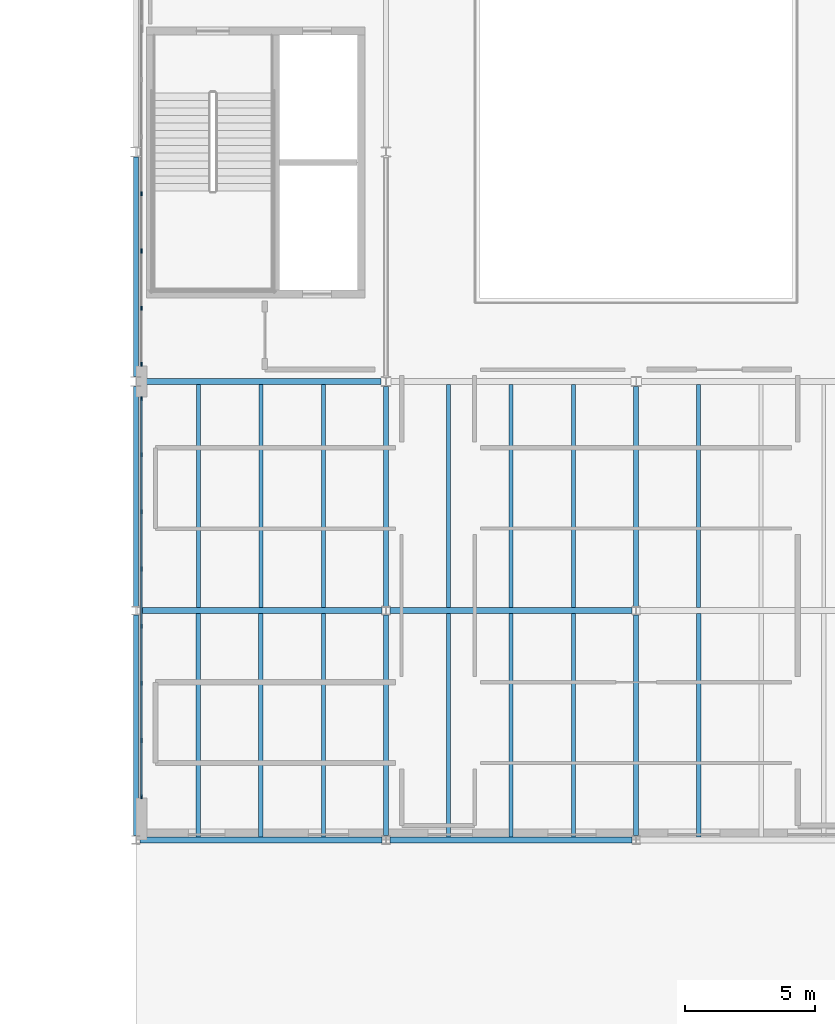
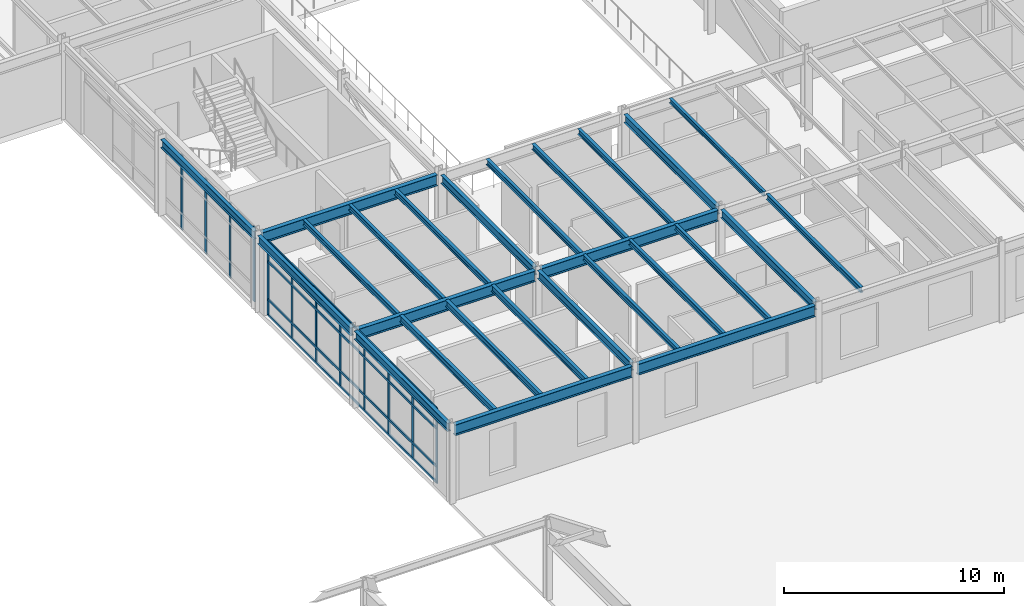
# One storey, part 25 of 88: 26 beams, 16 members, 2 elements without a shape of their own.
"""IFC4 building model written with IfcOpenShell, lengths in metres."""

from ifc_helpers import new_model, si_unit, direction, frame, origin, origin_2d, place, context, subcontext, project, spatial, rectangle, i_section, extrude, material, material_profile, profile_set, type_object, element, aggregate, save


model = new_model("IFC4")

# Units and contexts
model_context = context("Model", 3, precision=1e-05, world=origin(), true_north=direction((0.0, 1.0)))
body_context = subcontext(model_context, "Body", "Model", "MODEL_VIEW")
ifc_project = project(units=[si_unit("LENGTHUNIT", "METRE"), si_unit("AREAUNIT", "SQUARE_METRE"), si_unit("VOLUMEUNIT", "CUBIC_METRE"), si_unit("PLANEANGLEUNIT", "RADIAN"), si_unit("MASSUNIT", "GRAM", prefix="KILO")], contexts=[model_context])

# Site, building, storey
site_placement = place(None, origin())
site = spatial("IfcSite", under=ifc_project, at=site_placement, CompositionType="ELEMENT")
building_placement = place(site_placement, origin())
building = spatial("IfcBuilding", under=site, at=building_placement, Name="Sarnbrook Museum", CompositionType="ELEMENT")
storey_placement = place(building_placement, frame((0.0, 0.0, 10.10009765625)))
storey = spatial("IfcBuildingStorey", under=building, at=storey_placement, Name="L02", CompositionType="ELEMENT", Elevation=10.10009765625)

# Beams
ifc_material_1 = material(Name="Structural Steel Grade 300PLUS (AS/NZS 3679.1, fy = 280 MPa for 17 < t <= 40 mm, 300 MPa for t <= 17 mm)", Category="steel")
ifc_material_profile_1 = material_profile(ifc_material_1, i_section(OverallWidth=0.18994140625, OverallDepth=0.45703125, WebThickness=0.009033203125, FlangeThickness=0.014404296875, FilletRadius=0.011474609375, at=origin_2d()), Name="460UB74.6")
ifc_profile_set_1 = profile_set([ifc_material_profile_1], Name="Structural Steel Grade 300PLUS (AS/NZS 3679.1, fy = 280 MPa for 17 < t <= 40 mm, 300 MPa for t <= 17 mm)")
beam_type_1 = type_object("IfcBeamType", Name="BM-UB460", PredefinedType="BEAM", material=ifc_profile_set_1)
beam_1_placement = place(storey_placement, frame((80.800048828125, 39.363525390625, 4.0615234375), z_axis=(0.0, 1.0, 0.0), x_axis=(-1.0, 0.0, 0.0)))
element("IfcBeam", 1, at=beam_1_placement, inside=storey, type_object=beam_type_1, Name="Girder 9:E-F L02", PredefinedType="BEAM", context=body_context, shape_type="SweptSolid", body=[
    extrude(i_section(OverallWidth=0.18994140625, OverallDepth=0.45703125, WebThickness=0.009033203125, FlangeThickness=0.014404296875, FilletRadius=0.011474609375, at=origin_2d()), origin(), (0.0, 0.0, 1.0), 8.472900390625),
])
beam_2_placement = place(storey_placement, frame((80.800048828125, 48.16357421875, 4.021484375), z_axis=(0.0, 1.0, 0.0), x_axis=(-1.0, 0.0, 0.0)))
element("IfcBeam", 2, at=beam_2_placement, inside=storey, type_object=beam_type_1, Name="Girder 9:F-G L02", PredefinedType="BEAM", context=body_context, shape_type="SweptSolid", body=[
    extrude(i_section(OverallWidth=0.18994140625, OverallDepth=0.45703125, WebThickness=0.009033203125, FlangeThickness=0.014404296875, FilletRadius=0.011474609375, at=origin_2d()), origin(), (0.0, 0.0, 1.0), 8.4453125),
])
beam_3_placement = place(storey_placement, frame((80.800048828125, 56.990966796875, 4.021484375), z_axis=(0.0, 1.0, 0.0), x_axis=(-1.0, 0.0, 0.0)))
element("IfcBeam", 3, at=beam_3_placement, inside=storey, type_object=beam_type_1, Name="Girder 9:G-H L02", PredefinedType="BEAM", context=body_context, shape_type="SweptSolid", body=[
    extrude(i_section(OverallWidth=0.18994140625, OverallDepth=0.45703125, WebThickness=0.009033203125, FlangeThickness=0.014404296875, FilletRadius=0.011474609375, at=origin_2d()), origin(), (0.0, 0.0, 1.0), 8.41796875),
])
beam_4_placement = place(storey_placement, frame((90.39990234375, 39.363525390625, 4.0615234375), z_axis=(0.0, 1.0, 0.0), x_axis=(-1.0, 0.0, 0.0)))
element("IfcBeam", 4, at=beam_4_placement, inside=storey, type_object=beam_type_1, Name="Girder 10:E-F L02", PredefinedType="BEAM", context=body_context, shape_type="SweptSolid", body=[
    extrude(i_section(OverallWidth=0.18994140625, OverallDepth=0.45703125, WebThickness=0.009033203125, FlangeThickness=0.014404296875, FilletRadius=0.011474609375, at=origin_2d()), origin(), (0.0, 0.0, 1.0), 8.472900390625),
])
beam_5_placement = place(storey_placement, frame((90.39990234375, 48.16357421875, 4.021484375), z_axis=(0.0, 1.0, 0.0), x_axis=(-1.0, 0.0, 0.0)))
element("IfcBeam", 5, at=beam_5_placement, inside=storey, type_object=beam_type_1, Name="Girder 10:F-G L02", PredefinedType="BEAM", context=body_context, shape_type="SweptSolid", body=[
    extrude(i_section(OverallWidth=0.18994140625, OverallDepth=0.45703125, WebThickness=0.009033203125, FlangeThickness=0.014404296875, FilletRadius=0.011474609375, at=origin_2d()), origin(), (0.0, 0.0, 1.0), 8.4453125),
])
beam_6_placement = place(storey_placement, frame((100.0, 39.363525390625, 4.0615234375), z_axis=(0.0, 1.0, 0.0), x_axis=(-1.0, 0.0, 0.0)))
element("IfcBeam", 6, at=beam_6_placement, inside=storey, type_object=beam_type_1, Name="Girder 11:E-F L02", PredefinedType="BEAM", context=body_context, shape_type="SweptSolid", body=[
    extrude(i_section(OverallWidth=0.18994140625, OverallDepth=0.45703125, WebThickness=0.009033203125, FlangeThickness=0.014404296875, FilletRadius=0.011474609375, at=origin_2d()), origin(), (0.0, 0.0, 1.0), 8.472900390625),
])
beam_7_placement = place(storey_placement, frame((100.0, 48.16357421875, 4.021484375), z_axis=(0.0, 1.0, 0.0), x_axis=(-1.0, 0.0, 0.0)))
element("IfcBeam", 7, at=beam_7_placement, inside=storey, type_object=beam_type_1, Name="Girder 11:F-G L02", PredefinedType="BEAM", context=body_context, shape_type="SweptSolid", body=[
    extrude(i_section(OverallWidth=0.18994140625, OverallDepth=0.45703125, WebThickness=0.009033203125, FlangeThickness=0.014404296875, FilletRadius=0.011474609375, at=origin_2d()), origin(), (0.0, 0.0, 1.0), 8.4453125),
])
ifc_material_profile_2 = material_profile(ifc_material_1, i_section(OverallWidth=0.22802734375, OverallDepth=0.60693359375, WebThickness=0.01123046875, FlangeThickness=0.017333984375, FilletRadius=0.013916015625, at=origin_2d()), Name="610UB113")
ifc_profile_set_2 = profile_set([ifc_material_profile_2], Name="Structural Steel Grade 300PLUS (AS/NZS 3679.1, fy = 280 MPa for 17 < t <= 40 mm, 300 MPa for t <= 17 mm)")
beam_type_2 = type_object("IfcBeamType", Name="BM-UB610", PredefinedType="BEAM", material=ifc_profile_set_2)
beam_8_placement = place(storey_placement, frame((80.95556640625, 39.199951171875, 3.986328125), z_axis=(1.0, 0.0, 0.0), x_axis=(0.0, 1.0, 0.0)))
element("IfcBeam", 8, at=beam_8_placement, inside=storey, type_object=beam_type_2, Name="Girder E:9-10 L02", PredefinedType="BEAM", context=body_context, shape_type="SweptSolid", body=[
    extrude(i_section(OverallWidth=0.22802734375, OverallDepth=0.60693359375, WebThickness=0.01123046875, FlangeThickness=0.017333984375, FilletRadius=0.013916015625, at=origin_2d()), origin(), (0.0, 0.0, 1.0), 9.288818359375),
])
beam_9_placement = place(storey_placement, frame((90.555419921875, 39.199951171875, 3.986328125), z_axis=(1.0, 0.0, 0.0), x_axis=(0.0, 1.0, 0.0)))
element("IfcBeam", 9, at=beam_9_placement, inside=storey, type_object=beam_type_2, Name="Girder E:10-11 L02", PredefinedType="BEAM", context=body_context, shape_type="SweptSolid", body=[
    extrude(i_section(OverallWidth=0.22802734375, OverallDepth=0.60693359375, WebThickness=0.01123046875, FlangeThickness=0.017333984375, FilletRadius=0.013916015625, at=origin_2d()), origin(), (0.0, 0.0, 1.0), 9.2890625),
])
beam_10_placement = place(storey_placement, frame((80.95556640625, 48.0, 3.9462890625), z_axis=(1.0, 0.0, 0.0), x_axis=(0.0, 1.0, 0.0)))
element("IfcBeam", 10, at=beam_10_placement, inside=storey, type_object=beam_type_2, Name="Girder F:9-10 L02", PredefinedType="BEAM", context=body_context, shape_type="SweptSolid", body=[
    extrude(i_section(OverallWidth=0.22802734375, OverallDepth=0.60693359375, WebThickness=0.01123046875, FlangeThickness=0.017333984375, FilletRadius=0.013916015625, at=origin_2d()), origin(), (0.0, 0.0, 1.0), 9.288818359375),
])
beam_11_placement = place(storey_placement, frame((90.555419921875, 48.0, 3.9462890625), z_axis=(1.0, 0.0, 0.0), x_axis=(0.0, 1.0, 0.0)))
element("IfcBeam", 11, at=beam_11_placement, inside=storey, type_object=beam_type_2, Name="Girder F:10-11 L02", PredefinedType="BEAM", context=body_context, shape_type="SweptSolid", body=[
    extrude(i_section(OverallWidth=0.22802734375, OverallDepth=0.60693359375, WebThickness=0.01123046875, FlangeThickness=0.017333984375, FilletRadius=0.013916015625, at=origin_2d()), origin(), (0.0, 0.0, 1.0), 9.2890625),
])
beam_12_placement = place(storey_placement, frame((81.0, 56.800048828125, 3.9462890625), z_axis=(1.0, 0.0, 0.0), x_axis=(0.0, 1.0, 0.0)))
element("IfcBeam", 12, at=beam_12_placement, inside=storey, type_object=beam_type_2, Name="Girder G:9-10 L02", PredefinedType="BEAM", context=body_context, shape_type="SweptSolid", body=[
    extrude(i_section(OverallWidth=0.22802734375, OverallDepth=0.60693359375, WebThickness=0.01123046875, FlangeThickness=0.017333984375, FilletRadius=0.013916015625, at=origin_2d()), origin(), (0.0, 0.0, 1.0), 9.199951171875),
])

# Curtain wall, members
ifc_material_2 = material(Name="Thermally Broken Anodised Aluminium 6063-T6", Category="aluminium")
curtain_wall_type = type_object("IfcCurtainWallType", Name="CurtainWall_GalleryRibbon", PredefinedType="NOTDEFINED", material=ifc_material_2)
curtain_wall_1_placement = place(storey_placement, origin())
curtain_wall_1 = element("IfcCurtainWall", 13, at=curtain_wall_1_placement, inside=storey, type_object=curtain_wall_type, Name="Gallery Ribbon Curtain Wall L02-14.1", PredefinedType="NOTDEFINED")
ifc_material_profile_3 = material_profile(ifc_material_2, rectangle(XDim=0.06005859375, YDim=0.159912109375, at=origin_2d()), Name="ALU MULLION 60x160")
ifc_profile_set_3 = profile_set([ifc_material_profile_3], Name="Thermally Broken Anodised Aluminium 6063-T6")
member_type_1 = type_object("IfcMemberType", Name="CW_Mullion_150x65", PredefinedType="MULLION", material=ifc_profile_set_3)
member_1_placement = place(storey_placement, frame((81.010009765625, 64.0029296875, 0.0), z_axis=(0.0, 0.0, 1.0), x_axis=(1.0, 0.0, 0.0)))
member_1 = element("IfcMember", 14, at=member_1_placement, type_object=member_type_1, Name="Gallery Ribbon Curtain Wall L02-14.1 Mullion 5", PredefinedType="MULLION", context=body_context, shape_type="SweptSolid", body=[
    extrude(rectangle(XDim=0.06005859375, YDim=0.159912109375, at=origin_2d()), origin(), (0.0, 0.0, 1.0), 4.159912109375),
])
member_2_placement = place(storey_placement, frame((81.010009765625, 61.80859375, 0.0), z_axis=(0.0, 0.0, 1.0), x_axis=(1.0, 0.0, 0.0)))
member_2 = element("IfcMember", 15, at=member_2_placement, type_object=member_type_1, Name="Gallery Ribbon Curtain Wall L02-14.1 Mullion 6", PredefinedType="MULLION", context=body_context, shape_type="SweptSolid", body=[
    extrude(rectangle(XDim=0.06005859375, YDim=0.159912109375, at=origin_2d()), origin(), (0.0, 0.0, 1.0), 4.159912109375),
])
member_3_placement = place(storey_placement, frame((81.010009765625, 59.6142578125, 0.0), z_axis=(0.0, 0.0, 1.0), x_axis=(1.0, 0.0, 0.0)))
member_3 = element("IfcMember", 16, at=member_3_placement, type_object=member_type_1, Name="Gallery Ribbon Curtain Wall L02-14.1 Mullion 7", PredefinedType="MULLION", context=body_context, shape_type="SweptSolid", body=[
    extrude(rectangle(XDim=0.06005859375, YDim=0.159912109375, at=origin_2d()), origin(), (0.0, 0.0, 1.0), 4.159912109375),
])
member_4_placement = place(storey_placement, frame((81.010009765625, 57.4599609375, 0.0), z_axis=(0.0, 0.0, 1.0), x_axis=(1.0, 0.0, 0.0)))
member_4 = element("IfcMember", 17, at=member_4_placement, type_object=member_type_1, Name="Gallery Ribbon Curtain Wall L02-14.1 Mullion 8", PredefinedType="MULLION", context=body_context, shape_type="SweptSolid", body=[
    extrude(rectangle(XDim=0.06005859375, YDim=0.159912109375, at=origin_2d()), origin(), (0.0, 0.0, 1.0), 4.159912109375),
])
aggregate(curtain_wall_1, [member_1, member_2, member_3, member_4])

curtain_wall_2_placement = place(storey_placement, origin())
curtain_wall_2 = element("IfcCurtainWall", 18, at=curtain_wall_2_placement, inside=storey, type_object=curtain_wall_type, Name="Gallery Ribbon Curtain Wall L02-14.2", PredefinedType="NOTDEFINED")
member_5_placement = place(storey_placement, frame((81.010009765625, 56.139892578125, 0.0), z_axis=(0.0, 0.0, 1.0), x_axis=(1.0, 0.0, 0.0)))
member_5 = element("IfcMember", 19, at=member_5_placement, type_object=member_type_1, Name="Gallery Ribbon Curtain Wall L02-14.2 Mullion 1", PredefinedType="MULLION", context=body_context, shape_type="SweptSolid", body=[
    extrude(rectangle(XDim=0.06005859375, YDim=0.159912109375, at=origin_2d()), origin(), (0.0, 0.0, 1.0), 4.159912109375),
])
member_6_placement = place(storey_placement, frame((81.010009765625, 53.985595703125, 0.0), z_axis=(0.0, 0.0, 1.0), x_axis=(1.0, 0.0, 0.0)))
member_6 = element("IfcMember", 20, at=member_6_placement, type_object=member_type_1, Name="Gallery Ribbon Curtain Wall L02-14.2 Mullion 2", PredefinedType="MULLION", context=body_context, shape_type="SweptSolid", body=[
    extrude(rectangle(XDim=0.06005859375, YDim=0.159912109375, at=origin_2d()), origin(), (0.0, 0.0, 1.0), 4.159912109375),
])
member_7_placement = place(storey_placement, frame((81.010009765625, 51.79150390625, 0.0), z_axis=(0.0, 0.0, 1.0), x_axis=(1.0, 0.0, 0.0)))
member_7 = element("IfcMember", 21, at=member_7_placement, type_object=member_type_1, Name="Gallery Ribbon Curtain Wall L02-14.2 Mullion 3", PredefinedType="MULLION", context=body_context, shape_type="SweptSolid", body=[
    extrude(rectangle(XDim=0.06005859375, YDim=0.159912109375, at=origin_2d()), origin(), (0.0, 0.0, 1.0), 4.159912109375),
])
member_8_placement = place(storey_placement, frame((81.010009765625, 49.59716796875, 0.0), z_axis=(0.0, 0.0, 1.0), x_axis=(1.0, 0.0, 0.0)))
member_8 = element("IfcMember", 22, at=member_8_placement, type_object=member_type_1, Name="Gallery Ribbon Curtain Wall L02-14.2 Mullion 4", PredefinedType="MULLION", context=body_context, shape_type="SweptSolid", body=[
    extrude(rectangle(XDim=0.06005859375, YDim=0.159912109375, at=origin_2d()), origin(), (0.0, 0.0, 1.0), 4.159912109375),
])
member_9_placement = place(storey_placement, frame((81.010009765625, 47.40283203125, 0.0), z_axis=(0.0, 0.0, 1.0), x_axis=(1.0, 0.0, 0.0)))
member_9 = element("IfcMember", 23, at=member_9_placement, type_object=member_type_1, Name="Gallery Ribbon Curtain Wall L02-14.2 Mullion 5", PredefinedType="MULLION", context=body_context, shape_type="SweptSolid", body=[
    extrude(rectangle(XDim=0.06005859375, YDim=0.159912109375, at=origin_2d()), origin(), (0.0, 0.0, 1.0), 4.159912109375),
])
member_10_placement = place(storey_placement, frame((81.010009765625, 45.20849609375, 0.0), z_axis=(0.0, 0.0, 1.0), x_axis=(1.0, 0.0, 0.0)))
member_10 = element("IfcMember", 24, at=member_10_placement, type_object=member_type_1, Name="Gallery Ribbon Curtain Wall L02-14.2 Mullion 6", PredefinedType="MULLION", context=body_context, shape_type="SweptSolid", body=[
    extrude(rectangle(XDim=0.06005859375, YDim=0.159912109375, at=origin_2d()), origin(), (0.0, 0.0, 1.0), 4.159912109375),
])
member_11_placement = place(storey_placement, frame((81.010009765625, 43.014404296875, 0.0), z_axis=(0.0, 0.0, 1.0), x_axis=(1.0, 0.0, 0.0)))
member_11 = element("IfcMember", 25, at=member_11_placement, type_object=member_type_1, Name="Gallery Ribbon Curtain Wall L02-14.2 Mullion 7", PredefinedType="MULLION", context=body_context, shape_type="SweptSolid", body=[
    extrude(rectangle(XDim=0.06005859375, YDim=0.159912109375, at=origin_2d()), origin(), (0.0, 0.0, 1.0), 4.159912109375),
])
member_12_placement = place(storey_placement, frame((81.010009765625, 40.860107421875, 0.0), z_axis=(0.0, 0.0, 1.0), x_axis=(1.0, 0.0, 0.0)))
member_12 = element("IfcMember", 26, at=member_12_placement, type_object=member_type_1, Name="Gallery Ribbon Curtain Wall L02-14.2 Mullion 8", PredefinedType="MULLION", context=body_context, shape_type="SweptSolid", body=[
    extrude(rectangle(XDim=0.06005859375, YDim=0.159912109375, at=origin_2d()), origin(), (0.0, 0.0, 1.0), 4.159912109375),
])
ifc_material_profile_4 = material_profile(ifc_material_2, rectangle(XDim=0.06494140625, YDim=0.139892578125, at=origin_2d()), Name="ALU TRANSOM 65x140")
ifc_profile_set_4 = profile_set([ifc_material_profile_4], Name="Thermally Broken Anodised Aluminium 6063-T6")
member_type_2 = type_object("IfcMemberType", Name="CW_Transom_150x65", PredefinedType="USERDEFINED", material=ifc_profile_set_4)
member_13_placement = place(storey_placement, frame((81.010009765625, 56.1298828125, 0.039794921875), z_axis=(0.0, -1.0, 0.0), x_axis=(1.0, 0.0, 0.0)))
member_13 = element("IfcMember", 27, at=member_13_placement, type_object=member_type_2, Name="Gallery Ribbon Curtain Wall L02-14.2 Transom 1", ObjectType="TRANSOM", PredefinedType="USERDEFINED", context=body_context, shape_type="SweptSolid", body=[
    extrude(rectangle(XDim=0.06494140625, YDim=0.139892578125, at=origin_2d()), origin(), (0.0, 0.0, 1.0), 15.259765625),
])
member_14_placement = place(storey_placement, frame((81.010009765625, 56.1298828125, 0.89990234375), z_axis=(0.0, -1.0, 0.0), x_axis=(1.0, 0.0, 0.0)))
member_14 = element("IfcMember", 28, at=member_14_placement, type_object=member_type_2, Name="Gallery Ribbon Curtain Wall L02-14.2 Transom 2", ObjectType="TRANSOM", PredefinedType="USERDEFINED", context=body_context, shape_type="SweptSolid", body=[
    extrude(rectangle(XDim=0.06494140625, YDim=0.139892578125, at=origin_2d()), origin(), (0.0, 0.0, 1.0), 15.259765625),
])
member_15_placement = place(storey_placement, frame((81.010009765625, 56.1298828125, 3.0), z_axis=(0.0, -1.0, 0.0), x_axis=(1.0, 0.0, 0.0)))
member_15 = element("IfcMember", 29, at=member_15_placement, type_object=member_type_2, Name="Gallery Ribbon Curtain Wall L02-14.2 Transom 3", ObjectType="TRANSOM", PredefinedType="USERDEFINED", context=body_context, shape_type="SweptSolid", body=[
    extrude(rectangle(XDim=0.06494140625, YDim=0.139892578125, at=origin_2d()), origin(), (0.0, 0.0, 1.0), 15.259765625),
])
member_16_placement = place(storey_placement, frame((81.010009765625, 56.1298828125, 4.119873046875), z_axis=(0.0, -1.0, 0.0), x_axis=(1.0, 0.0, 0.0)))
member_16 = element("IfcMember", 30, at=member_16_placement, type_object=member_type_2, Name="Gallery Ribbon Curtain Wall L02-14.2 Transom 4", ObjectType="TRANSOM", PredefinedType="USERDEFINED", context=body_context, shape_type="SweptSolid", body=[
    extrude(rectangle(XDim=0.06494140625, YDim=0.139892578125, at=origin_2d()), origin(), (0.0, 0.0, 1.0), 15.259765625),
])
aggregate(curtain_wall_2, [member_5, member_6, member_7, member_8, member_9, member_10, member_11, member_12, member_13, member_14, member_15, member_16])

# Beams
ifc_material_profile_5 = material_profile(ifc_material_1, i_section(OverallWidth=0.14599609375, OverallDepth=0.256103515625, WebThickness=0.00634765625, FlangeThickness=0.010986328125, FilletRadius=0.0087890625, at=origin_2d()), Name="250UB37.3")
ifc_profile_set_5 = profile_set([ifc_material_profile_5], Name="Structural Steel Grade 300PLUS (AS/NZS 3679.1, fy = 280 MPa for 17 < t <= 40 mm, 300 MPa for t <= 17 mm)")
beam_type_3 = type_object("IfcBeamType", Name="JS-UB250", PredefinedType="JOIST", material=ifc_profile_set_5)
beam_13_placement = place(storey_placement, frame((102.39990234375, 48.114013671875, 4.121826171875), z_axis=(0.0, 1.0, 0.0), x_axis=(-1.0, 0.0, 0.0)))
element("IfcBeam", 31, at=beam_13_placement, inside=storey, type_object=beam_type_3, Name="Composite Floor Joist 11F-1 L02", PredefinedType="JOIST", context=body_context, shape_type="SweptSolid", body=[
    extrude(i_section(OverallWidth=0.14599609375, OverallDepth=0.256103515625, WebThickness=0.00634765625, FlangeThickness=0.010986328125, FilletRadius=0.0087890625, at=origin_2d()), origin(), (0.0, 0.0, 1.0), 8.572021484375),
])
ifc_material_profile_6 = material_profile(ifc_material_1, i_section(OverallWidth=0.1650390625, OverallDepth=0.303955078125, WebThickness=0.006103515625, FlangeThickness=0.01025390625, FilletRadius=0.011474609375, at=origin_2d()), Name="310UB40.4")
ifc_profile_set_6 = profile_set([ifc_material_profile_6], Name="Structural Steel Grade 300PLUS (AS/NZS 3679.1, fy = 280 MPa for 17 < t <= 40 mm, 300 MPa for t <= 17 mm)")
beam_type_4 = type_object("IfcBeamType", Name="JS-UB310", PredefinedType="JOIST", material=ifc_profile_set_6)
for number, where, z_axis, x_axis, name in (
    (32, (92.800048828125, 48.114013671875, 4.097900390625), (0.0, 1.0, 0.0), (-1.0, 0.0, 0.0), "Composite Floor Joist 10F-1 L02"),
    (33, (95.199951171875, 48.114013671875, 4.097900390625), (0.0, 1.0, 0.0), (-1.0, 0.0, 0.0), "Composite Floor Joist 10F-2 L02"),
    (34, (97.60009765625, 48.114013671875, 4.097900390625), (0.0, 1.0, 0.0), (-1.0, 0.0, 0.0), "Composite Floor Joist 10F-3 L02"),
    (35, (102.39990234375, 39.31396484375, 4.137939453125), (0.0, 1.0, 0.0), (-1.0, 0.0, 0.0), "Composite Floor Joist 11E-1 L02"),
):
    element("IfcBeam", number, at=place(storey_placement, frame(where, z_axis=z_axis, x_axis=x_axis)), inside=storey, type_object=beam_type_4, Name=name, PredefinedType="JOIST", context=body_context, shape_type="SweptSolid", body=[
        extrude(i_section(OverallWidth=0.1650390625, OverallDepth=0.303955078125, WebThickness=0.006103515625, FlangeThickness=0.01025390625, FilletRadius=0.011474609375, at=origin_2d()), origin(), (0.0, 0.0, 1.0), 8.572021484375),
    ])
ifc_material_profile_7 = material_profile(ifc_material_1, i_section(OverallWidth=0.166015625, OverallDepth=0.306884765625, WebThickness=0.006591796875, FlangeThickness=0.01171875, FilletRadius=0.011474609375, at=origin_2d()), Name="310UB46.2")
ifc_profile_set_7 = profile_set([ifc_material_profile_7], Name="Structural Steel Grade 300PLUS (AS/NZS 3679.1, fy = 280 MPa for 17 < t <= 40 mm, 300 MPa for t <= 17 mm)")
beam_type_5 = type_object("IfcBeamType", Name="JS-UB310H", PredefinedType="JOIST", material=ifc_profile_set_7)
for number, where, z_axis, x_axis, name in (
    (36, (83.199951171875, 48.114013671875, 4.096435546875), (0.0, 1.0, 0.0), (-1.0, 0.0, 0.0), "Composite Floor Joist 9F-1 L02"),
    (37, (85.60009765625, 48.114013671875, 4.096435546875), (0.0, 1.0, 0.0), (-1.0, 0.0, 0.0), "Composite Floor Joist 9F-2 L02"),
    (38, (88.0, 48.114013671875, 4.096435546875), (0.0, 1.0, 0.0), (-1.0, 0.0, 0.0), "Composite Floor Joist 9F-3 L02"),
    (39, (92.800048828125, 39.31396484375, 4.136474609375), (0.0, 1.0, 0.0), (-1.0, 0.0, 0.0), "Composite Floor Joist 10E-1 L02"),
    (40, (95.199951171875, 39.31396484375, 4.136474609375), (0.0, 1.0, 0.0), (-1.0, 0.0, 0.0), "Composite Floor Joist 10E-2 L02"),
    (41, (97.60009765625, 39.31396484375, 4.136474609375), (0.0, 1.0, 0.0), (-1.0, 0.0, 0.0), "Composite Floor Joist 10E-3 L02"),
):
    element("IfcBeam", number, at=place(storey_placement, frame(where, z_axis=z_axis, x_axis=x_axis)), inside=storey, type_object=beam_type_5, Name=name, PredefinedType="JOIST", context=body_context, shape_type="SweptSolid", body=[
        extrude(i_section(OverallWidth=0.166015625, OverallDepth=0.306884765625, WebThickness=0.006591796875, FlangeThickness=0.01171875, FilletRadius=0.011474609375, at=origin_2d()), origin(), (0.0, 0.0, 1.0), 8.572021484375),
    ])
ifc_material_profile_8 = material_profile(ifc_material_1, i_section(OverallWidth=0.1708984375, OverallDepth=0.35595703125, WebThickness=0.00732421875, FlangeThickness=0.011474609375, FilletRadius=0.011474609375, at=origin_2d()), Name="360UB50.7")
ifc_profile_set_8 = profile_set([ifc_material_profile_8], Name="Structural Steel Grade 300PLUS (AS/NZS 3679.1, fy = 280 MPa for 17 < t <= 40 mm, 300 MPa for t <= 17 mm)")
beam_type_6 = type_object("IfcBeamType", Name="JS-UB360", PredefinedType="JOIST", material=ifc_profile_set_8)
for number, where, z_axis, x_axis, name in (
    (42, (83.199951171875, 39.31396484375, 4.11181640625), (0.0, 1.0, 0.0), (-1.0, 0.0, 0.0), "Composite Floor Joist 9E-1 L02"),
    (43, (85.60009765625, 39.31396484375, 4.11181640625), (0.0, 1.0, 0.0), (-1.0, 0.0, 0.0), "Composite Floor Joist 9E-2 L02"),
    (44, (88.0, 39.31396484375, 4.11181640625), (0.0, 1.0, 0.0), (-1.0, 0.0, 0.0), "Composite Floor Joist 9E-3 L02"),
):
    element("IfcBeam", number, at=place(storey_placement, frame(where, z_axis=z_axis, x_axis=x_axis)), inside=storey, type_object=beam_type_6, Name=name, PredefinedType="JOIST", context=body_context, shape_type="SweptSolid", body=[
        extrude(i_section(OverallWidth=0.1708984375, OverallDepth=0.35595703125, WebThickness=0.00732421875, FlangeThickness=0.011474609375, FilletRadius=0.011474609375, at=origin_2d()), origin(), (0.0, 0.0, 1.0), 8.572021484375),
    ])

save(model, "model.ifc")
